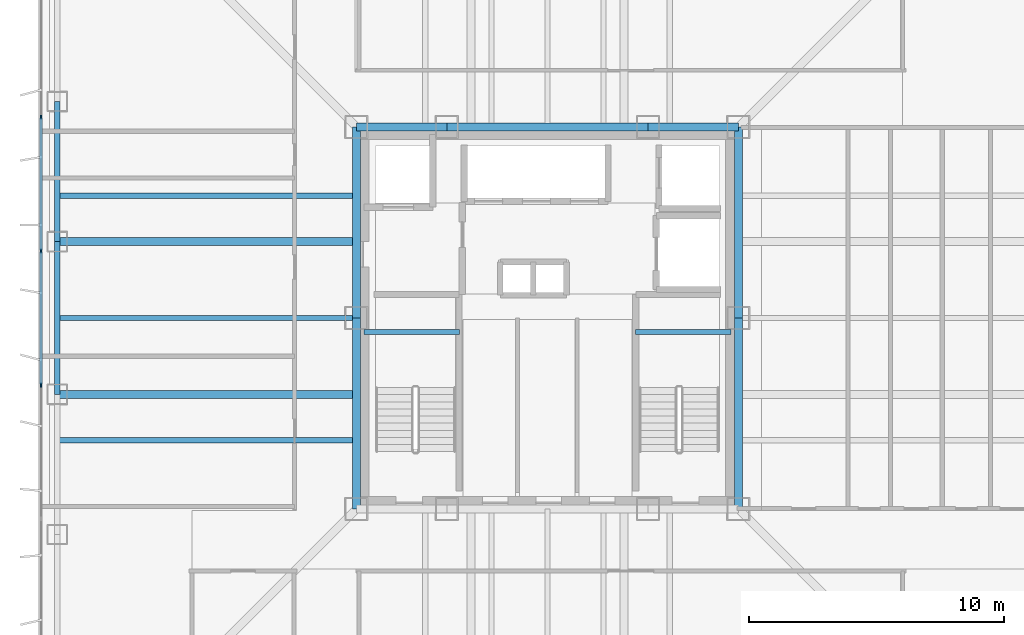
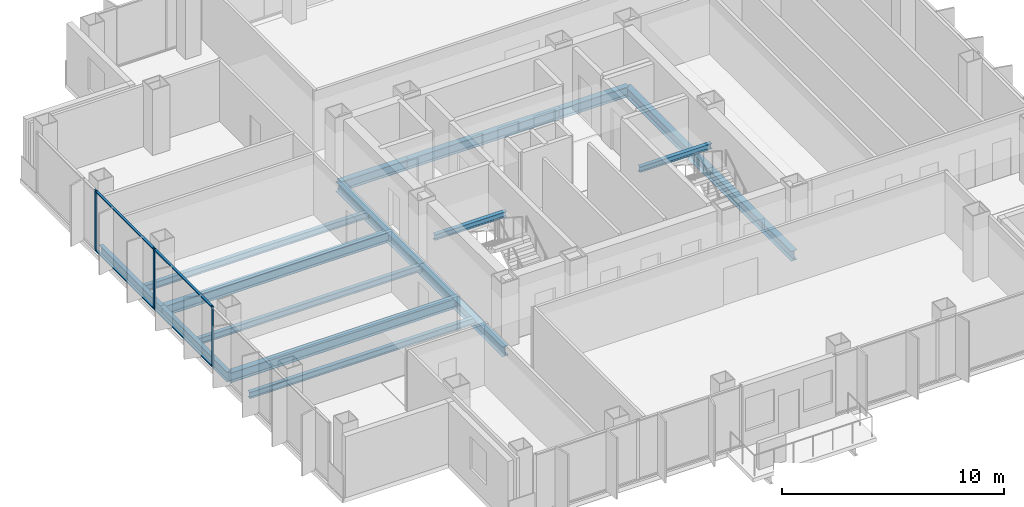
# One storey, part 4 of 13: 16 beams, 7 members, 1 element without a shape of its own.
"""IFC4 building model written with IfcOpenShell, lengths in metres."""

from ifc_helpers import new_model, si_unit, direction, frame, origin, origin_2d, place, context, subcontext, project, spatial, rectangle, i_section, extrude, material, layer, layer_set, material_profile, profile_set, type_object, element, aggregate, save


model = new_model("IFC4")

# Units and contexts
model_context = context("Model", 3, precision=1e-05, world=origin(), true_north=direction((0.0, 1.0)))
body_context = subcontext(model_context, "Body", "Model", "MODEL_VIEW")
ifc_project = project(units=[si_unit("LENGTHUNIT", "METRE"), si_unit("AREAUNIT", "SQUARE_METRE"), si_unit("VOLUMEUNIT", "CUBIC_METRE"), si_unit("PLANEANGLEUNIT", "RADIAN"), si_unit("MASSUNIT", "GRAM", prefix="KILO")], contexts=[model_context])

# Site, building, storey
site_placement = place(None, origin())
site = spatial("IfcSite", under=ifc_project, at=site_placement, CompositionType="ELEMENT")
building_placement = place(site_placement, origin())
building = spatial("IfcBuilding", under=site, at=building_placement, Name="Trevonay Congress Spire", CompositionType="ELEMENT")
storey_placement = place(building_placement, frame((0.0, 0.0, 205.800048828125)))
storey = spatial("IfcBuildingStorey", under=building, at=storey_placement, Name="L53", CompositionType="ELEMENT", Elevation=205.800048828125)

# Beams
ifc_material_1 = material(Name="Steel ASTM A572 Grade 50", Category="steel")
ifc_material_profile_1 = material_profile(ifc_material_1, i_section(OverallWidth=0.31201171875, OverallDepth=0.54296875, WebThickness=0.0126953125, FlangeThickness=0.020263671875, FilletRadius=0.014892578125, at=origin_2d()), Name="W530x150")
ifc_profile_set_1 = profile_set([ifc_material_profile_1], Name="Steel ASTM A572 Grade 50")
beam_type_1 = type_object("IfcBeamType", Name="BM-GIRD-W530X150", PredefinedType="BEAM", material=ifc_profile_set_1)
beam_1_placement = place(storey_placement, frame((-7.5, 7.5, -0.511474609375), z_axis=(1.0, 0.0, 0.0), x_axis=(0.0, 1.0, 0.0)))
element("IfcBeam", 1, at=beam_1_placement, inside=storey, type_object=beam_type_1, Name="L53 structural beam BM-L53-CR-N1", PredefinedType="BEAM", context=body_context, shape_type="SweptSolid", body=[
    extrude(i_section(OverallWidth=0.31201171875, OverallDepth=0.54296875, WebThickness=0.0126953125, FlangeThickness=0.020263671875, FilletRadius=0.014892578125, at=origin_2d()), origin(), (0.0, 0.0, 1.0), 3.550048828125),
])
beam_2_placement = place(storey_placement, frame((-3.949951171875, 7.5, -0.511474609375), z_axis=(1.0, 0.0, 0.0), x_axis=(0.0, 1.0, 0.0)))
element("IfcBeam", 2, at=beam_2_placement, inside=storey, type_object=beam_type_1, Name="L53 structural beam BM-L53-CR-N2", PredefinedType="BEAM", context=body_context, shape_type="SweptSolid", body=[
    extrude(i_section(OverallWidth=0.31201171875, OverallDepth=0.54296875, WebThickness=0.0126953125, FlangeThickness=0.020263671875, FilletRadius=0.014892578125, at=origin_2d()), origin(), (0.0, 0.0, 1.0), 7.89990234375),
])
beam_3_placement = place(storey_placement, frame((3.949951171875, 7.5, -0.511474609375), z_axis=(1.0, 0.0, 0.0), x_axis=(0.0, 1.0, 0.0)))
element("IfcBeam", 3, at=beam_3_placement, inside=storey, type_object=beam_type_1, Name="L53 structural beam BM-L53-CR-N3", PredefinedType="BEAM", context=body_context, shape_type="SweptSolid", body=[
    extrude(i_section(OverallWidth=0.31201171875, OverallDepth=0.54296875, WebThickness=0.0126953125, FlangeThickness=0.020263671875, FilletRadius=0.014892578125, at=origin_2d()), origin(), (0.0, 0.0, 1.0), 3.550048828125),
])
for number, where, z_axis, x_axis, name in (
    (4, (-7.5, -7.5, -0.511474609375), (0.0, 1.0, 0.0), (-1.0, 0.0, 0.0), "L53 structural beam BM-L53-CR-W1"),
    (5, (-7.5, 0.0, -0.511474609375), (0.0, 1.0, 0.0), (-1.0, 0.0, 0.0), "L53 structural beam BM-L53-CR-W2"),
    (6, (7.5, -7.5, -0.511474609375), (0.0, 1.0, 0.0), (-1.0, 0.0, 0.0), "L53 structural beam BM-L53-CR-E1"),
    (7, (7.5, 0.0, -0.511474609375), (0.0, 1.0, 0.0), (-1.0, 0.0, 0.0), "L53 structural beam BM-L53-CR-E2"),
):
    element("IfcBeam", number, at=place(storey_placement, frame(where, z_axis=z_axis, x_axis=x_axis)), inside=storey, type_object=beam_type_1, Name=name, PredefinedType="BEAM", context=body_context, shape_type="SweptSolid", body=[
        extrude(i_section(OverallWidth=0.31201171875, OverallDepth=0.54296875, WebThickness=0.0126953125, FlangeThickness=0.020263671875, FilletRadius=0.014892578125, at=origin_2d()), origin(), (0.0, 0.0, 1.0), 7.5),
    ])
for number, where, z_axis, x_axis, name in (
    (8, (-7.5, -3.0, -0.511474609375), (-1.0, 0.0, 0.0), (0.0, -1.0, 0.0), "L53 structural beam BM-L53-GW-M"),
    (9, (-7.5, 3.0, -0.511474609375), (-1.0, 0.0, 0.0), (0.0, -1.0, 0.0), "L53 structural beam BM-L53-GW-P"),
):
    element("IfcBeam", number, at=place(storey_placement, frame(where, z_axis=z_axis, x_axis=x_axis)), inside=storey, type_object=beam_type_1, Name=name, PredefinedType="BEAM", context=body_context, shape_type="SweptSolid", body=[
        extrude(i_section(OverallWidth=0.31201171875, OverallDepth=0.54296875, WebThickness=0.0126953125, FlangeThickness=0.020263671875, FilletRadius=0.014892578125, at=origin_2d()), origin(), (0.0, 0.0, 1.0), 11.75),
    ])
ifc_material_profile_2 = material_profile(ifc_material_1, i_section(OverallWidth=0.2119140625, OverallDepth=0.5439453125, WebThickness=0.01318359375, FlangeThickness=0.021240234375, FilletRadius=0.014892578125, at=origin_2d()), Name="W530x123")
ifc_profile_set_2 = profile_set([ifc_material_profile_2], Name="Steel ASTM A572 Grade 50")
beam_type_2 = type_object("IfcBeamType", Name="BM-RING-W530X123", PredefinedType="BEAM", material=ifc_profile_set_2)
beam_4_placement = place(storey_placement, frame((-19.25, -3.0, -0.511962890625), z_axis=(0.0, 1.0, 0.0), x_axis=(-1.0, 0.0, 0.0)))
element("IfcBeam", 10, at=beam_4_placement, inside=storey, type_object=beam_type_2, Name="L53 structural beam BM-L53-PW3", PredefinedType="BEAM", context=body_context, shape_type="SweptSolid", body=[
    extrude(i_section(OverallWidth=0.2119140625, OverallDepth=0.5439453125, WebThickness=0.01318359375, FlangeThickness=0.021240234375, FilletRadius=0.014892578125, at=origin_2d()), origin(), (0.0, 0.0, 1.0), 6.0),
])
beam_5_placement = place(storey_placement, frame((-19.25, 3.0, -0.511962890625), z_axis=(0.0, 1.0, 0.0), x_axis=(-1.0, 0.0, 0.0)))
element("IfcBeam", 11, at=beam_5_placement, inside=storey, type_object=beam_type_2, Name="L53 structural beam BM-L53-PW4", PredefinedType="BEAM", context=body_context, shape_type="SweptSolid", body=[
    extrude(i_section(OverallWidth=0.2119140625, OverallDepth=0.5439453125, WebThickness=0.01318359375, FlangeThickness=0.021240234375, FilletRadius=0.014892578125, at=origin_2d()), origin(), (0.0, 0.0, 1.0), 5.5),
])

# Curtain wall, members
ifc_material_2 = material(Name="Pale Anodised Aluminium EN AW-6063-T6", Category="aluminium")
ifc_layer = layer(ifc_material_2, 0.169921875, Name="Pale Anodised Aluminium EN AW-6063-T6")
ifc_layer_set = layer_set([ifc_layer], Name="Pale Anodised Aluminium EN AW-6063-T6")
curtain_wall_type = type_object("IfcCurtainWallType", Name="CW-SYS04-CORP-PALE-METAL", PredefinedType="NOTDEFINED", material=ifc_layer_set)
curtain_wall_placement = place(storey_placement, origin())
curtain_wall = element("IfcCurtainWall", 12, at=curtain_wall_placement, inside=storey, type_object=curtain_wall_type, Name="L53 W unitised curtain wall", PredefinedType="NOTDEFINED")
ifc_material_profile_3 = material_profile(ifc_material_2, rectangle(XDim=0.06005859375, YDim=0.159912109375, at=origin_2d()), Name="CW-MULLION-160-ALUMINIUM")
ifc_profile_set_3 = profile_set([ifc_material_profile_3], Name="Pale Anodised Aluminium EN AW-6063-T6")
member_type_1 = type_object("IfcMemberType", Name="CW-MULLION-160-ALUMINIUM", PredefinedType="MULLION", material=ifc_profile_set_3)
member_1_placement = place(storey_placement, frame((-19.8798828125, -2.6298828125, 0.0), z_axis=(0.0, 0.0, 1.0), x_axis=(-1.0, 0.0, 0.0)))
member_1 = element("IfcMember", 13, at=member_1_placement, type_object=member_type_1, Name="CW04 mullion 3", PredefinedType="MULLION", context=body_context, shape_type="SweptSolid", body=[
    extrude(rectangle(XDim=0.06005859375, YDim=0.159912109375, at=origin_2d()), origin(), (0.0, 0.0, 1.0), 3.35986328125),
])
member_2_placement = place(storey_placement, frame((-19.8798828125, 2.6298828125, 0.0), z_axis=(0.0, 0.0, 1.0), x_axis=(-1.0, 0.0, 0.0)))
member_2 = element("IfcMember", 14, at=member_2_placement, type_object=member_type_1, Name="CW04 mullion 4", PredefinedType="MULLION", context=body_context, shape_type="SweptSolid", body=[
    extrude(rectangle(XDim=0.06005859375, YDim=0.159912109375, at=origin_2d()), origin(), (0.0, 0.0, 1.0), 3.35986328125),
])
member_3_placement = place(storey_placement, frame((-19.8798828125, 7.889892578125, 0.0), z_axis=(0.0, 0.0, 1.0), x_axis=(-1.0, 0.0, 0.0)))
member_3 = element("IfcMember", 15, at=member_3_placement, type_object=member_type_1, Name="CW04 mullion 5", PredefinedType="MULLION", context=body_context, shape_type="SweptSolid", body=[
    extrude(rectangle(XDim=0.06005859375, YDim=0.159912109375, at=origin_2d()), origin(), (0.0, 0.0, 1.0), 3.35986328125),
])
ifc_material_profile_4 = material_profile(ifc_material_2, rectangle(XDim=0.1201171875, YDim=0.06005859375, at=origin_2d()), Name="CW-TRANSOM-120-ALUMINIUM")
ifc_profile_set_4 = profile_set([ifc_material_profile_4], Name="Pale Anodised Aluminium EN AW-6063-T6")
member_type_2 = type_object("IfcMemberType", Name="CW-TRANSOM-120-ALUMINIUM", PredefinedType="USERDEFINED", material=ifc_profile_set_4)
member_4_placement = place(storey_placement, frame((-19.8798828125, -2.60009765625, 0.06005859375), z_axis=(0.0, 1.0, 0.0), x_axis=(-1.0, 0.0, 0.0)))
member_4 = element("IfcMember", 16, at=member_4_placement, type_object=member_type_2, Name="CW04 transom 3.1", ObjectType="TRANSOM", PredefinedType="USERDEFINED", context=body_context, shape_type="SweptSolid", body=[
    extrude(rectangle(XDim=0.1201171875, YDim=0.06005859375, at=origin_2d()), origin(), (0.0, 0.0, 1.0), 5.2001953125),
])
member_5_placement = place(storey_placement, frame((-19.8798828125, -2.60009765625, 3.300048828125), z_axis=(0.0, 1.0, 0.0), x_axis=(-1.0, 0.0, 0.0)))
member_5 = element("IfcMember", 17, at=member_5_placement, type_object=member_type_2, Name="CW04 transom 3.2", ObjectType="TRANSOM", PredefinedType="USERDEFINED", context=body_context, shape_type="SweptSolid", body=[
    extrude(rectangle(XDim=0.1201171875, YDim=0.06005859375, at=origin_2d()), origin(), (0.0, 0.0, 1.0), 5.2001953125),
])
member_6_placement = place(storey_placement, frame((-19.8798828125, 2.659912109375, 0.06005859375), z_axis=(0.0, 1.0, 0.0), x_axis=(-1.0, 0.0, 0.0)))
member_6 = element("IfcMember", 18, at=member_6_placement, type_object=member_type_2, Name="CW04 transom 4.1", ObjectType="TRANSOM", PredefinedType="USERDEFINED", context=body_context, shape_type="SweptSolid", body=[
    extrude(rectangle(XDim=0.1201171875, YDim=0.06005859375, at=origin_2d()), origin(), (0.0, 0.0, 1.0), 5.2001953125),
])
member_7_placement = place(storey_placement, frame((-19.8798828125, 2.659912109375, 3.300048828125), z_axis=(0.0, 1.0, 0.0), x_axis=(-1.0, 0.0, 0.0)))
member_7 = element("IfcMember", 19, at=member_7_placement, type_object=member_type_2, Name="CW04 transom 4.2", ObjectType="TRANSOM", PredefinedType="USERDEFINED", context=body_context, shape_type="SweptSolid", body=[
    extrude(rectangle(XDim=0.1201171875, YDim=0.06005859375, at=origin_2d()), origin(), (0.0, 0.0, 1.0), 5.2001953125),
])
aggregate(curtain_wall, [member_1, member_2, member_3, member_4, member_5, member_6, member_7])

# Beams
ifc_material_profile_5 = material_profile(ifc_material_1, i_section(OverallWidth=0.205078125, OverallDepth=0.35400390625, WebThickness=0.009521484375, FlangeThickness=0.016845703125, FilletRadius=0.011962890625, at=origin_2d()), Name="W360x79")
ifc_profile_set_5 = profile_set([ifc_material_profile_5], Name="Steel ASTM A572 Grade 50")
beam_type_3 = type_object("IfcBeamType", Name="JS-COMP-W360X79", PredefinedType="JOIST", material=ifc_profile_set_5)
for number, where, z_axis, x_axis, name in (
    (20, (-19.25, -4.800048828125, -0.4169921875), (1.0, 0.0, 0.0), (0.0, 1.0, 0.0), "L53 structural beam JS-L53-EW-W1"),
    (21, (-19.25, 0.0, -0.4169921875), (1.0, 0.0, 0.0), (0.0, 1.0, 0.0), "L53 structural beam JS-L53-EW-W2"),
    (22, (-19.25, 4.800048828125, -0.4169921875), (1.0, 0.0, 0.0), (0.0, 1.0, 0.0), "L53 structural beam JS-L53-EW-W3"),
):
    element("IfcBeam", number, at=place(storey_placement, frame(where, z_axis=z_axis, x_axis=x_axis)), inside=storey, type_object=beam_type_3, Name=name, PredefinedType="JOIST", context=body_context, shape_type="SweptSolid", body=[
        extrude(i_section(OverallWidth=0.205078125, OverallDepth=0.35400390625, WebThickness=0.009521484375, FlangeThickness=0.016845703125, FilletRadius=0.011962890625, at=origin_2d()), origin(), (0.0, 0.0, 1.0), 11.75),
    ])
ifc_material_profile_6 = material_profile(ifc_material_1, i_section(OverallWidth=0.2041015625, OverallDepth=0.305908203125, WebThickness=0.008544921875, FlangeThickness=0.0146484375, FilletRadius=0.010986328125, at=origin_2d()), Name="W310x67")
ifc_profile_set_6 = profile_set([ifc_material_profile_6], Name="Steel ASTM A572 Grade 50")
beam_type_4 = type_object("IfcBeamType", Name="LN-CORE-W310X67", PredefinedType="LINTEL", material=ifc_profile_set_6)
for number, where, z_axis, x_axis, name in (
    (23, (-7.199951171875, -0.550048828125, 1.447021484375), (1.0, 0.0, 0.0), (0.0, 1.0, 0.0), "L53 structural beam BM-L53-HL-ST1"),
    (24, (3.449951171875, -0.550048828125, 1.447021484375), (1.0, 0.0, 0.0), (0.0, 1.0, 0.0), "L53 structural beam BM-L53-HL-ST2"),
):
    element("IfcBeam", number, at=place(storey_placement, frame(where, z_axis=z_axis, x_axis=x_axis)), inside=storey, type_object=beam_type_4, Name=name, PredefinedType="LINTEL", context=body_context, shape_type="SweptSolid", body=[
        extrude(i_section(OverallWidth=0.2041015625, OverallDepth=0.305908203125, WebThickness=0.008544921875, FlangeThickness=0.0146484375, FilletRadius=0.010986328125, at=origin_2d()), origin(), (0.0, 0.0, 1.0), 3.75),
    ])

save(model, "model.ifc")
